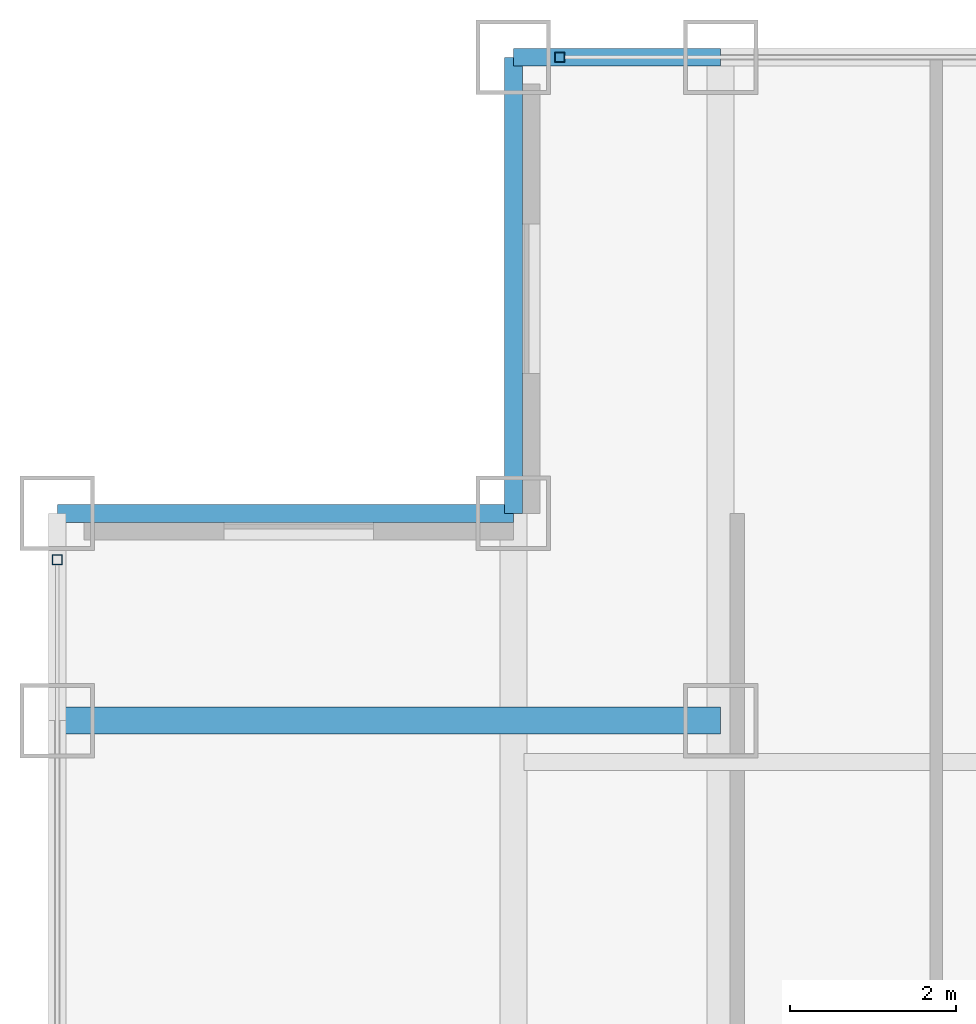
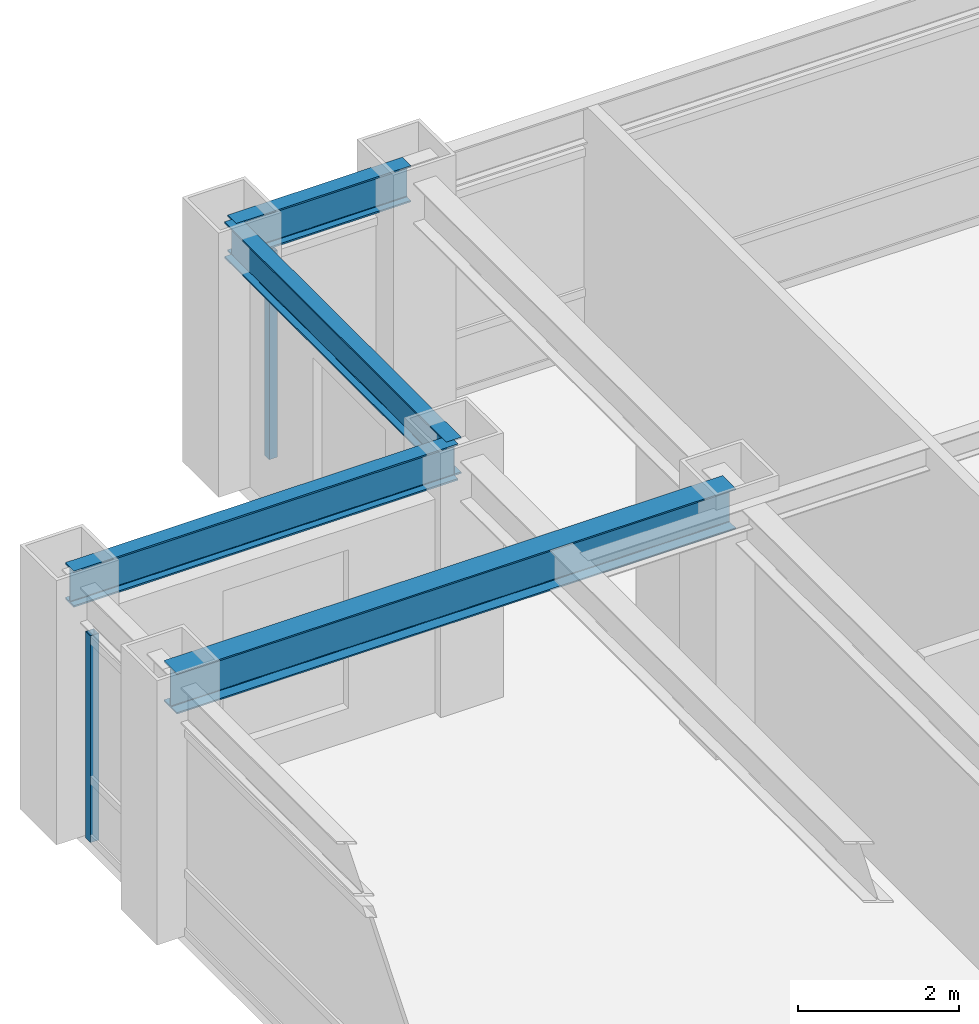
# One storey, part 12 of 22: 4 beams, 2 members, 2 elements without a shape of their own.
"""IFC4 building model written with IfcOpenShell, lengths in metres."""

import ifcopenshell
import ifcopenshell.guid

model = None  # the IFC model being written
_history = None  # IfcOwnerHistory: only IFC2X3 demands one
_inside = {}  # id of a spatial element -> (the spatial element, [elements in it])
_under = {}  # id of a project, library or spatial element -> (it, [spatial elements below it])
_declared = {}  # id of a project -> (the project, [libraries it declares])
_typed = {}  # id of a type object -> (the type object, [elements of that type])
_made_of = {}  # id of a material, layer set ... -> (it, [elements and type objects made of it])


def new_model(schema):
    """Start an empty IFC model of exactly this schema.

    Asked for "IFC4X3", IfcOpenShell would pick the latest addendum, in which some entities
    have other attributes; the version numbers below select the first issue.
    IFC2X3 requires an IfcOwnerHistory on every rooted entity: one is made here for all.
    """
    global model, _history
    if schema == "IFC4X3":
        model = ifcopenshell.file(schema_version=(4, 3, 0, 0))
    else:
        model = ifcopenshell.file(schema=schema)
    _inside.clear()
    _under.clear()
    _declared.clear()
    _typed.clear()
    _made_of.clear()
    _history = None
    if model.schema == "IFC2X3":
        org = make("IfcOrganization", Name="unknown")
        user = make(
            "IfcPersonAndOrganization",
            ThePerson=make("IfcPerson", FamilyName="unknown"),
            TheOrganization=org,
        )
        app = make(
            "IfcApplication",
            ApplicationDeveloper=org,
            Version="unknown",
            ApplicationFullName="unknown",
            ApplicationIdentifier="unknown",
        )
        _history = make(
            "IfcOwnerHistory",
            OwningUser=user,
            OwningApplication=app,
            ChangeAction="ADDED",
            CreationDate=0,
        )
    return model


def make(cls, **values):
    """One entity of the class cls with the attributes given. An attribute that is None is left unset."""
    return model.create_entity(
        cls, **{name: value for name, value in values.items() if value is not None}
    )


def rooted(cls, **values):
    """An entity with a GlobalId (a new one), such as an element, a storey or a relation."""
    return make(cls, GlobalId=ifcopenshell.guid.new(), OwnerHistory=_history, **values)


def si_unit(unit_type, name, prefix=None):
    """IfcSIUnit, for example si_unit("LENGTHUNIT", "METRE", prefix="MILLI")."""
    return make("IfcSIUnit", UnitType=unit_type, Prefix=prefix, Name=name)


def assignment(units):
    """IfcUnitAssignment: the units of a project."""
    return None if units is None else make("IfcUnitAssignment", Units=units)


def point(xyz):
    """IfcCartesianPoint."""
    return None if xyz is None else make("IfcCartesianPoint", Coordinates=xyz)


def direction(xyz):
    """IfcDirection."""
    return None if xyz is None else make("IfcDirection", DirectionRatios=xyz)


def frame(location, z_axis=None, x_axis=None):
    """IfcAxis2Placement3D, a coordinate frame: its origin and axes. An axis left out is left unset."""
    return make(
        "IfcAxis2Placement3D",
        Location=point(location),
        Axis=direction(z_axis),
        RefDirection=direction(x_axis),
    )


def frame_2d(location, x_axis=None):
    """IfcAxis2Placement2D, a coordinate frame in the plane: its origin and x axis."""
    return make(
        "IfcAxis2Placement2D", Location=point(location), RefDirection=direction(x_axis)
    )


def origin():
    """The frame at (0, 0, 0) with its axes left unset."""
    return frame((0.0, 0.0, 0.0))


def origin_2d():
    """The frame at (0, 0) in the plane with its x axis left unset."""
    return frame_2d((0.0, 0.0))


def place(relative_to, where):
    """IfcLocalPlacement: puts the frame where relative to a parent placement (None: the world)."""
    return make(
        "IfcLocalPlacement", PlacementRelTo=relative_to, RelativePlacement=where
    )


def context(
    kind, dimensions, precision=None, world=None, true_north=None, identifier=None
):
    """IfcGeometricRepresentationContext, for example the 3D "Model" context."""
    return make(
        "IfcGeometricRepresentationContext",
        ContextIdentifier=identifier,
        ContextType=kind,
        CoordinateSpaceDimension=dimensions,
        Precision=precision,
        WorldCoordinateSystem=world,
        TrueNorth=true_north,
    )


def subcontext(parent, identifier, kind, view, scale=None):
    """IfcGeometricRepresentationSubContext, for example "Body" below "Model"."""
    return make(
        "IfcGeometricRepresentationSubContext",
        ContextIdentifier=identifier,
        ContextType=kind,
        ParentContext=parent,
        TargetScale=scale,
        TargetView=view,
    )


def project(units=None, contexts=None):
    """IfcProject with its units and contexts."""
    return rooted(
        "IfcProject",
        Name="project",
        RepresentationContexts=contexts,
        UnitsInContext=assignment(units),
    )


def spatial(cls, under=None, at=None, **own):
    """A site, building, storey or space (cls), placed at a placement, below another one or the project."""
    s = rooted(cls, ObjectPlacement=at, **own)
    if under is not None:
        _under.setdefault(under.id(), (under, []))[1].append(s)
    return s


def profile(cls, at=None, kind="AREA", **sizes):
    """A parametric profile (cls). Its sizes go by their IFC names, for example OverallWidth=200.0."""
    return make(cls, ProfileType=kind, Position=at, **sizes)


def hollow_rectangle(**sizes):
    """IfcRectangleHollowProfileDef."""
    return profile("IfcRectangleHollowProfileDef", **sizes)


def i_section(**sizes):
    """IfcIShapeProfileDef."""
    return profile("IfcIShapeProfileDef", **sizes)


def extrude(swept, where, along, depth):
    """IfcExtrudedAreaSolid: the profile swept, set in the frame where, extruded along a direction by depth."""
    return make(
        "IfcExtrudedAreaSolid",
        SweptArea=swept,
        Position=where,
        ExtrudedDirection=direction(along),
        Depth=depth,
    )


def shape(context_of_items, identifier, shape_type, items):
    """IfcShapeRepresentation: the items that make up one representation, for example the "Body"."""
    return make(
        "IfcShapeRepresentation",
        ContextOfItems=context_of_items,
        RepresentationIdentifier=identifier,
        RepresentationType=shape_type,
        Items=items,
    )


def source(mapping_origin, context_of_items, identifier, shape_type, items):
    """IfcRepresentationMap: a shape defined once, which mapped items show again and again."""
    return make(
        "IfcRepresentationMap",
        MappingOrigin=mapping_origin,
        MappedRepresentation=shape(context_of_items, identifier, shape_type, items),
    )


def transform(
    local_origin,
    x_axis=None,
    y_axis=None,
    z_axis=None,
    scale=None,
    scale2=None,
    scale3=None,
    uniform=True,
):
    """IfcCartesianTransformationOperator3D, or its non-uniform kind. x_axis, y_axis, z_axis: its Axis1, 2, 3."""
    if uniform:
        return make(
            "IfcCartesianTransformationOperator3D",
            Axis1=direction(x_axis),
            Axis2=direction(y_axis),
            LocalOrigin=point(local_origin),
            Scale=scale,
            Axis3=direction(z_axis),
        )
    return make(
        "IfcCartesianTransformationOperator3DnonUniform",
        Axis1=direction(x_axis),
        Axis2=direction(y_axis),
        LocalOrigin=point(local_origin),
        Scale=scale,
        Axis3=direction(z_axis),
        Scale2=scale2,
        Scale3=scale3,
    )


def mapped(mapping_source, mapping_target):
    """IfcMappedItem: shows the shape of a source again, moved by a transform."""
    return make(
        "IfcMappedItem", MappingSource=mapping_source, MappingTarget=mapping_target
    )


def material(Name=None, Category=None):
    """IfcMaterial."""
    return make("IfcMaterial", Name=Name, Category=Category)


def material_profile(
    of_material, cross_section, Name=None, Category=None, Priority=None
):
    """IfcMaterialProfile: a cross section and its material."""
    return make(
        "IfcMaterialProfile",
        Name=Name,
        Material=of_material,
        Profile=cross_section,
        Priority=Priority,
        Category=Category,
    )


def profile_set(profiles, Name=None, composite=None):
    """IfcMaterialProfileSet."""
    return make(
        "IfcMaterialProfileSet",
        Name=Name,
        MaterialProfiles=profiles,
        CompositeProfile=composite,
    )


def made_of(thing, what):
    """Note that an element or type object is made of a material, layer set ...; save() writes the relation."""
    if what is not None:
        _made_of.setdefault(what.id(), (what, []))[1].append(thing)
    return thing


def type_object(cls, material=None, **own):
    """A type object (cls), such as IfcWallType, which elements share."""
    return made_of(rooted(cls, **own), material)


def element(
    cls,
    number,
    at=None,
    inside=None,
    cuts=None,
    type_object=None,
    material=None,
    context=None,
    identifier="Body",
    shape_type=None,
    held_by="IfcProductDefinitionShape",
    body=None,
    shapes=None,
    **own,
):
    """One element of the class cls, such as IfcWall. Its Tag is "e" and its number.

    at: its placement. inside: the storey or other place that contains it. cuts: it is an
    opening in that element (IfcRelVoidsElement). A single representation is given by context,
    identifier, shape_type and body (its items); several are given by shapes. held_by: the class
    of the entity that holds the representations. save() writes the other relations.
    """
    e = rooted(cls, Tag="e%d" % number, ObjectPlacement=at, **own)
    if body is not None:
        shapes = [shape(context, identifier, shape_type, body)]
    if shapes is not None:
        e.Representation = make(held_by, Representations=shapes)
    if inside is not None:
        _inside.setdefault(inside.id(), (inside, []))[1].append(e)
    if cuts is not None:
        rooted(
            "IfcRelVoidsElement", RelatingBuildingElement=cuts, RelatedOpeningElement=e
        )
    if type_object is not None:
        _typed.setdefault(type_object.id(), (type_object, []))[1].append(e)
    return made_of(e, material)


def aggregate(whole, parts):
    """IfcRelAggregates: a whole, such as a stair, and the parts it consists of."""
    return rooted("IfcRelAggregates", RelatingObject=whole, RelatedObjects=parts)


def save(model, path):
    """Write the relations noted so far, then the file.

    IfcRelAggregates (storeys below a building ...), IfcRelContainedInSpatialStructure (elements
    in a storey), IfcRelDefinesByType, IfcRelAssociatesMaterial and IfcRelDeclares: one each for
    every whole, place, type object, material and project.
    """
    for whole, parts in _under.values():
        aggregate(whole, parts)
    for where, things in _inside.values():
        rooted(
            "IfcRelContainedInSpatialStructure",
            RelatedElements=things,
            RelatingStructure=where,
        )
    for kind, things in _typed.values():
        rooted("IfcRelDefinesByType", RelatedObjects=things, RelatingType=kind)
    for what, things in _made_of.values():
        rooted("IfcRelAssociatesMaterial", RelatedObjects=things, RelatingMaterial=what)
    for by, libraries in _declared.values():
        rooted("IfcRelDeclares", RelatingContext=by, RelatedDefinitions=libraries)
    model.write(path)


model = new_model("IFC4")

# Units and contexts
model_context = context("Model", 3, precision=1e-05, world=origin(), true_north=direction((0.0, 1.0)))
body_context = subcontext(model_context, "Body", "Model", "MODEL_VIEW")
ifc_project = project(units=[si_unit("LENGTHUNIT", "METRE"), si_unit("AREAUNIT", "SQUARE_METRE"), si_unit("VOLUMEUNIT", "CUBIC_METRE"), si_unit("PLANEANGLEUNIT", "RADIAN"), si_unit("MASSUNIT", "GRAM", prefix="KILO")], contexts=[model_context])

# Site, building, storey
site_placement = place(None, origin())
site = spatial("IfcSite", under=ifc_project, at=site_placement, CompositionType="ELEMENT")
building_placement = place(site_placement, origin())
building = spatial("IfcBuilding", under=site, at=building_placement, Name="Khorayat Bourse Tower", CompositionType="ELEMENT")
storey_placement = place(building_placement, frame((0.0, 0.0, 293.5)))
storey = spatial("IfcBuildingStorey", under=building, at=storey_placement, Name="L69", CompositionType="ELEMENT", Elevation=293.5)

# Beams
ifc_material_1 = material(Name="Steel ASTM A992 Grade 50", Category="steel")
ifc_material_profile_1 = material_profile(ifc_material_1, i_section(OverallWidth=0.324951171875, OverallDepth=0.615966796875, WebThickness=0.013916015625, FlangeThickness=0.021484375, FilletRadius=0.01611328125, at=origin_2d()), Name="W610X174")
ifc_profile_set_1 = profile_set([ifc_material_profile_1], Name="Steel ASTM A992 Grade 50")
beam_type_1 = type_object("IfcBeamType", Name="BM-GIRD-610", PredefinedType="BEAM", material=ifc_profile_set_1)
shared_shape_1 = source(origin(), body_context, "Body", "SweptSolid", [
    extrude(i_section(OverallWidth=0.324951171875, OverallDepth=0.615966796875, WebThickness=0.013916015625, FlangeThickness=0.021484375, FilletRadius=0.01611328125, at=origin_2d()), origin(), (0.0, 0.0, 1.0), 8.0),
])
beam_1_placement = place(storey_placement, frame((-28.0, 20.0, 3.471923828125), z_axis=(1.0, 0.0, 0.0), x_axis=(0.0, 1.0, 0.0)))
element("IfcBeam", 1, at=beam_1_placement, inside=storey, type_object=beam_type_1, Name="L69 BM-GIRD-610 BM-L69-CNRX-095", PredefinedType="BEAM", context=body_context, shape_type="MappedRepresentation", body=[
    mapped(shared_shape_1, transform((0.0, 0.0, 0.0), scale=1.0)),
])
ifc_material_profile_2 = material_profile(ifc_material_1, i_section(OverallWidth=0.214111328125, OverallDepth=0.549072265625, WebThickness=0.0146484375, FlangeThickness=0.023681640625, FilletRadius=0.013916015625, at=origin_2d()), Name="W530X138")
ifc_profile_set_2 = profile_set([ifc_material_profile_2], Name="Steel ASTM A992 Grade 50")
beam_type_2 = type_object("IfcBeamType", Name="BM-SPAN-530", PredefinedType="SPANDREL", material=ifc_profile_set_2)
shared_shape_2 = source(origin(), body_context, "Body", "SweptSolid", [
    extrude(i_section(OverallWidth=0.214111328125, OverallDepth=0.549072265625, WebThickness=0.0146484375, FlangeThickness=0.023681640625, FilletRadius=0.013916015625, at=origin_2d()), origin(), (0.0, 0.0, 1.0), 2.5),
])
beam_2_placement = place(storey_placement, frame((-22.5, 28.0, 3.505615234375), z_axis=(1.0, 0.0, 0.0), x_axis=(0.0, 1.0, 0.0)))
element("IfcBeam", 2, at=beam_2_placement, inside=storey, type_object=beam_type_2, Name="L69 BM-SPAN-530 BM-L69-SPN-051", PredefinedType="SPANDREL", context=body_context, shape_type="MappedRepresentation", body=[
    mapped(shared_shape_2, transform((0.0, 0.0, 0.0), scale=1.0)),
])
shared_shape_3 = source(origin(), body_context, "Body", "SweptSolid", [
    extrude(i_section(OverallWidth=0.214111328125, OverallDepth=0.549072265625, WebThickness=0.0146484375, FlangeThickness=0.023681640625, FilletRadius=0.013916015625, at=origin_2d()), origin(), (0.0, 0.0, 1.0), 5.5),
])
for number, where, z_axis, x_axis, name in (
    (3, (-22.5, 22.5, 3.505615234375), (0.0, 1.0, 0.0), (-1.0, 0.0, 0.0), "L69 BM-SPAN-530 BM-L69-SPN-052"),
    (4, (-28.0, 22.5, 3.505615234375), (1.0, 0.0, 0.0), (0.0, 1.0, 0.0), "L69 BM-SPAN-530 BM-L69-SPN-053"),
):
    element("IfcBeam", number, at=place(storey_placement, frame(where, z_axis=z_axis, x_axis=x_axis)), inside=storey, type_object=beam_type_2, Name=name, PredefinedType="SPANDREL", context=body_context, shape_type="MappedRepresentation", body=[
        mapped(shared_shape_3, transform((0.0, 0.0, 0.0), scale=1.0)),
    ])

# Curtain wall, member
ifc_material_2 = material(Name="Aluminium EN AW-6063 T6", Category="aluminium")
curtain_wall_type = type_object("IfcCurtainWallType", Name="CW-SYS-04", PredefinedType="NOTDEFINED", material=ifc_material_2)
curtain_wall_1_placement = place(storey_placement, origin())
curtain_wall_1 = element("IfcCurtainWall", 5, at=curtain_wall_1_placement, inside=storey, type_object=curtain_wall_type, Name="L69 Curtain Wall CW-L69-N1", PredefinedType="NOTDEFINED")
ifc_material_profile_3 = material_profile(ifc_material_2, hollow_rectangle(XDim=0.1201171875, YDim=0.1201171875, WallThickness=0.0048828125, at=origin_2d()), Name="ALU 120x120x5")
ifc_profile_set_3 = profile_set([ifc_material_profile_3], Name="Aluminium EN AW-6063 T6")
member_type = type_object("IfcMemberType", Name="CWM-VERT-120", PredefinedType="MULLION", material=ifc_profile_set_3)
shared_shape_4 = source(origin(), body_context, "Body", "SweptSolid", [
    extrude(hollow_rectangle(XDim=0.1201171875, YDim=0.1201171875, WallThickness=0.0048828125, at=origin_2d()), origin(), (0.0, 0.0, 1.0), 3.1298828125),
])
member_1_placement = place(storey_placement, frame((-21.93994140625, 28.0, 0.0), z_axis=(0.0, 0.0, 1.0), x_axis=(0.0, 1.0, 0.0)))
member_1 = element("IfcMember", 6, at=member_1_placement, type_object=member_type, Name="CW-L69-N1 Vertical Mullion 1", PredefinedType="MULLION", context=body_context, shape_type="MappedRepresentation", body=[
    mapped(shared_shape_4, transform((0.0, 0.0, 0.0), scale=1.0)),
])
aggregate(curtain_wall_1, [member_1])

curtain_wall_2_placement = place(storey_placement, origin())
curtain_wall_2 = element("IfcCurtainWall", 7, at=curtain_wall_2_placement, inside=storey, type_object=curtain_wall_type, Name="L69 Curtain Wall CW-L69-W1", PredefinedType="NOTDEFINED")
member_2_placement = place(storey_placement, frame((-28.0, 21.93994140625, 0.0), z_axis=(0.0, 0.0, 1.0), x_axis=(-1.0, 0.0, 0.0)))
member_2 = element("IfcMember", 8, at=member_2_placement, type_object=member_type, Name="CW-L69-W1 Vertical Mullion 3", PredefinedType="MULLION", context=body_context, shape_type="MappedRepresentation", body=[
    mapped(shared_shape_4, transform((0.0, 0.0, 0.0), scale=1.0)),
])
aggregate(curtain_wall_2, [member_2])

save(model, "model.ifc")
